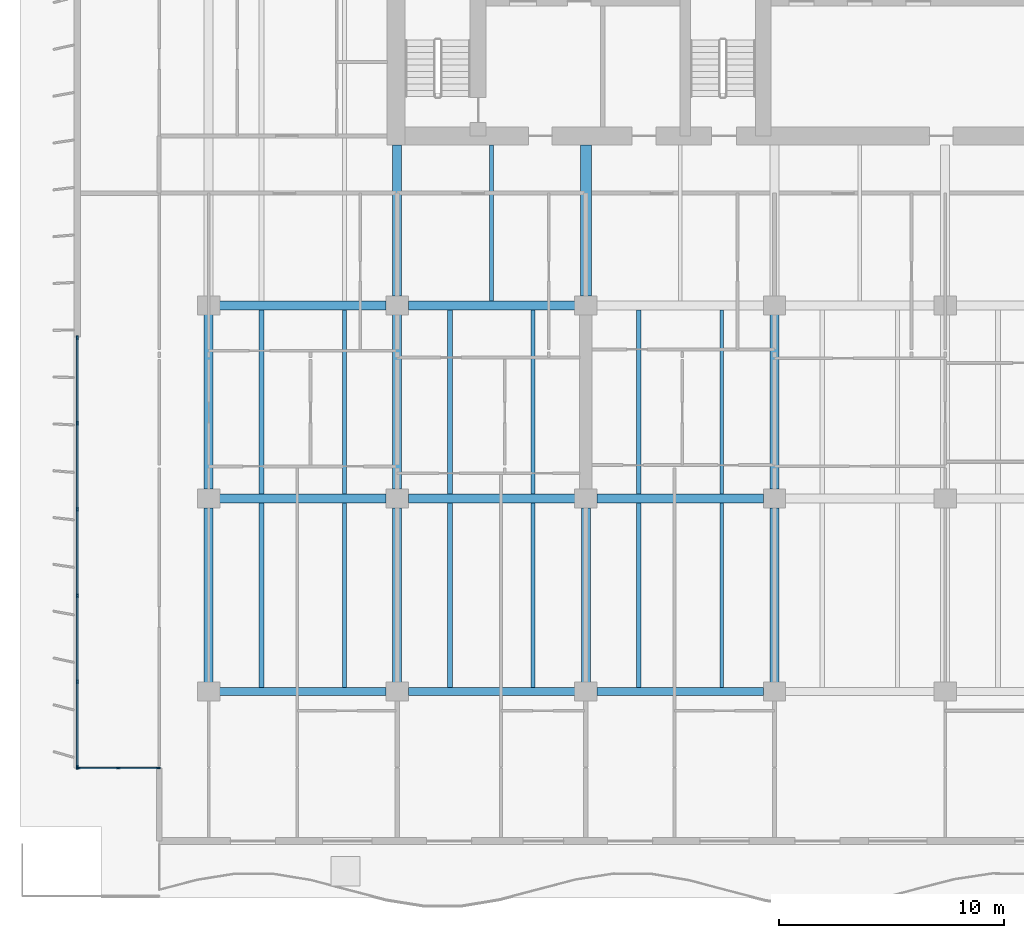
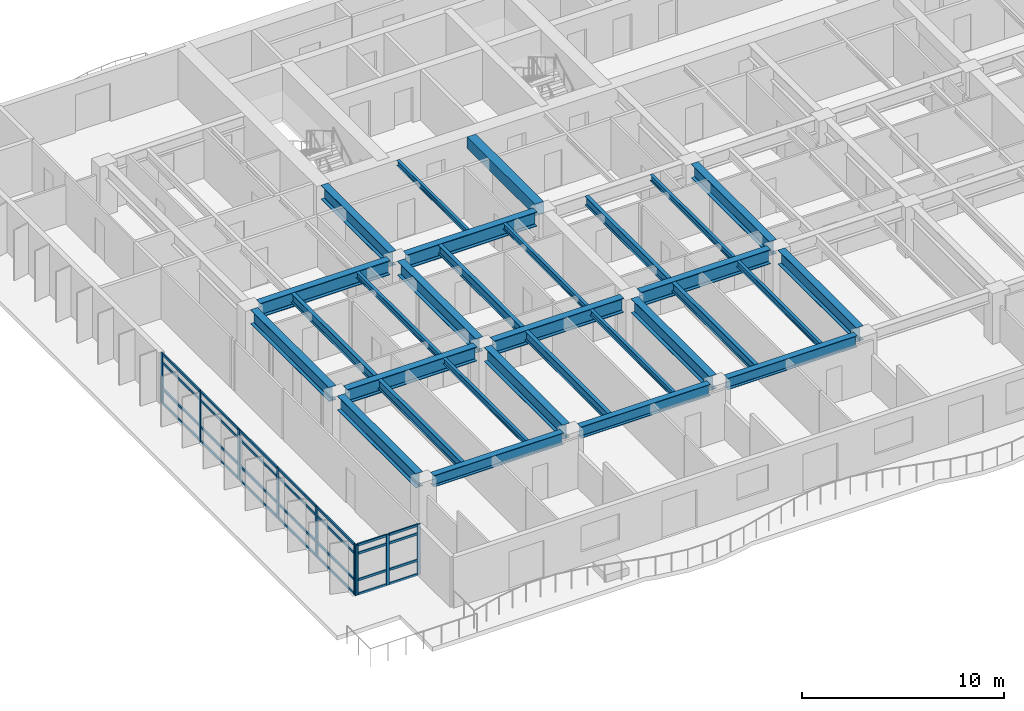
# One storey, part 2 of 17: 37 members, 30 beams, 2 elements without a shape of their own.
"""IFC4 building model written with IfcOpenShell, lengths in metres."""

import ifcopenshell
import ifcopenshell.guid

model = None  # the IFC model being written
_history = None  # IfcOwnerHistory: only IFC2X3 demands one
_inside = {}  # id of a spatial element -> (the spatial element, [elements in it])
_under = {}  # id of a project, library or spatial element -> (it, [spatial elements below it])
_declared = {}  # id of a project -> (the project, [libraries it declares])
_typed = {}  # id of a type object -> (the type object, [elements of that type])
_made_of = {}  # id of a material, layer set ... -> (it, [elements and type objects made of it])


def new_model(schema):
    """Start an empty IFC model of exactly this schema.

    Asked for "IFC4X3", IfcOpenShell would pick the latest addendum, in which some entities
    have other attributes; the version numbers below select the first issue.
    IFC2X3 requires an IfcOwnerHistory on every rooted entity: one is made here for all.
    """
    global model, _history
    if schema == "IFC4X3":
        model = ifcopenshell.file(schema_version=(4, 3, 0, 0))
    else:
        model = ifcopenshell.file(schema=schema)
    _inside.clear()
    _under.clear()
    _declared.clear()
    _typed.clear()
    _made_of.clear()
    _history = None
    if model.schema == "IFC2X3":
        org = make("IfcOrganization", Name="unknown")
        user = make(
            "IfcPersonAndOrganization",
            ThePerson=make("IfcPerson", FamilyName="unknown"),
            TheOrganization=org,
        )
        app = make(
            "IfcApplication",
            ApplicationDeveloper=org,
            Version="unknown",
            ApplicationFullName="unknown",
            ApplicationIdentifier="unknown",
        )
        _history = make(
            "IfcOwnerHistory",
            OwningUser=user,
            OwningApplication=app,
            ChangeAction="ADDED",
            CreationDate=0,
        )
    return model


def make(cls, **values):
    """One entity of the class cls with the attributes given. An attribute that is None is left unset."""
    return model.create_entity(
        cls, **{name: value for name, value in values.items() if value is not None}
    )


def rooted(cls, **values):
    """An entity with a GlobalId (a new one), such as an element, a storey or a relation."""
    return make(cls, GlobalId=ifcopenshell.guid.new(), OwnerHistory=_history, **values)


def si_unit(unit_type, name, prefix=None):
    """IfcSIUnit, for example si_unit("LENGTHUNIT", "METRE", prefix="MILLI")."""
    return make("IfcSIUnit", UnitType=unit_type, Prefix=prefix, Name=name)


def assignment(units):
    """IfcUnitAssignment: the units of a project."""
    return None if units is None else make("IfcUnitAssignment", Units=units)


def point(xyz):
    """IfcCartesianPoint."""
    return None if xyz is None else make("IfcCartesianPoint", Coordinates=xyz)


def direction(xyz):
    """IfcDirection."""
    return None if xyz is None else make("IfcDirection", DirectionRatios=xyz)


def frame(location, z_axis=None, x_axis=None):
    """IfcAxis2Placement3D, a coordinate frame: its origin and axes. An axis left out is left unset."""
    return make(
        "IfcAxis2Placement3D",
        Location=point(location),
        Axis=direction(z_axis),
        RefDirection=direction(x_axis),
    )


def frame_2d(location, x_axis=None):
    """IfcAxis2Placement2D, a coordinate frame in the plane: its origin and x axis."""
    return make(
        "IfcAxis2Placement2D", Location=point(location), RefDirection=direction(x_axis)
    )


def origin():
    """The frame at (0, 0, 0) with its axes left unset."""
    return frame((0.0, 0.0, 0.0))


def origin_2d():
    """The frame at (0, 0) in the plane with its x axis left unset."""
    return frame_2d((0.0, 0.0))


def place(relative_to, where):
    """IfcLocalPlacement: puts the frame where relative to a parent placement (None: the world)."""
    return make(
        "IfcLocalPlacement", PlacementRelTo=relative_to, RelativePlacement=where
    )


def context(
    kind, dimensions, precision=None, world=None, true_north=None, identifier=None
):
    """IfcGeometricRepresentationContext, for example the 3D "Model" context."""
    return make(
        "IfcGeometricRepresentationContext",
        ContextIdentifier=identifier,
        ContextType=kind,
        CoordinateSpaceDimension=dimensions,
        Precision=precision,
        WorldCoordinateSystem=world,
        TrueNorth=true_north,
    )


def subcontext(parent, identifier, kind, view, scale=None):
    """IfcGeometricRepresentationSubContext, for example "Body" below "Model"."""
    return make(
        "IfcGeometricRepresentationSubContext",
        ContextIdentifier=identifier,
        ContextType=kind,
        ParentContext=parent,
        TargetScale=scale,
        TargetView=view,
    )


def project(units=None, contexts=None):
    """IfcProject with its units and contexts."""
    return rooted(
        "IfcProject",
        Name="project",
        RepresentationContexts=contexts,
        UnitsInContext=assignment(units),
    )


def spatial(cls, under=None, at=None, **own):
    """A site, building, storey or space (cls), placed at a placement, below another one or the project."""
    s = rooted(cls, ObjectPlacement=at, **own)
    if under is not None:
        _under.setdefault(under.id(), (under, []))[1].append(s)
    return s


def profile(cls, at=None, kind="AREA", **sizes):
    """A parametric profile (cls). Its sizes go by their IFC names, for example OverallWidth=200.0."""
    return make(cls, ProfileType=kind, Position=at, **sizes)


def rectangle(**sizes):
    """IfcRectangleProfileDef."""
    return profile("IfcRectangleProfileDef", **sizes)


def i_section(**sizes):
    """IfcIShapeProfileDef."""
    return profile("IfcIShapeProfileDef", **sizes)


def extrude(swept, where, along, depth):
    """IfcExtrudedAreaSolid: the profile swept, set in the frame where, extruded along a direction by depth."""
    return make(
        "IfcExtrudedAreaSolid",
        SweptArea=swept,
        Position=where,
        ExtrudedDirection=direction(along),
        Depth=depth,
    )


def shape(context_of_items, identifier, shape_type, items):
    """IfcShapeRepresentation: the items that make up one representation, for example the "Body"."""
    return make(
        "IfcShapeRepresentation",
        ContextOfItems=context_of_items,
        RepresentationIdentifier=identifier,
        RepresentationType=shape_type,
        Items=items,
    )


def material(Name=None, Category=None):
    """IfcMaterial."""
    return make("IfcMaterial", Name=Name, Category=Category)


def layer(
    of_material, thickness, ventilated=None, Name=None, Category=None, Priority=None
):
    """IfcMaterialLayer: one layer of a wall or slab, of a material (None: an air gap)."""
    return make(
        "IfcMaterialLayer",
        Material=of_material,
        LayerThickness=thickness,
        IsVentilated=ventilated,
        Name=Name,
        Category=Category,
        Priority=Priority,
    )


def layer_set(layers, Name=None):
    """IfcMaterialLayerSet."""
    return make("IfcMaterialLayerSet", MaterialLayers=layers, LayerSetName=Name)


def material_profile(
    of_material, cross_section, Name=None, Category=None, Priority=None
):
    """IfcMaterialProfile: a cross section and its material."""
    return make(
        "IfcMaterialProfile",
        Name=Name,
        Material=of_material,
        Profile=cross_section,
        Priority=Priority,
        Category=Category,
    )


def profile_set(profiles, Name=None, composite=None):
    """IfcMaterialProfileSet."""
    return make(
        "IfcMaterialProfileSet",
        Name=Name,
        MaterialProfiles=profiles,
        CompositeProfile=composite,
    )


def made_of(thing, what):
    """Note that an element or type object is made of a material, layer set ...; save() writes the relation."""
    if what is not None:
        _made_of.setdefault(what.id(), (what, []))[1].append(thing)
    return thing


def type_object(cls, material=None, **own):
    """A type object (cls), such as IfcWallType, which elements share."""
    return made_of(rooted(cls, **own), material)


def element(
    cls,
    number,
    at=None,
    inside=None,
    cuts=None,
    type_object=None,
    material=None,
    context=None,
    identifier="Body",
    shape_type=None,
    held_by="IfcProductDefinitionShape",
    body=None,
    shapes=None,
    **own,
):
    """One element of the class cls, such as IfcWall. Its Tag is "e" and its number.

    at: its placement. inside: the storey or other place that contains it. cuts: it is an
    opening in that element (IfcRelVoidsElement). A single representation is given by context,
    identifier, shape_type and body (its items); several are given by shapes. held_by: the class
    of the entity that holds the representations. save() writes the other relations.
    """
    e = rooted(cls, Tag="e%d" % number, ObjectPlacement=at, **own)
    if body is not None:
        shapes = [shape(context, identifier, shape_type, body)]
    if shapes is not None:
        e.Representation = make(held_by, Representations=shapes)
    if inside is not None:
        _inside.setdefault(inside.id(), (inside, []))[1].append(e)
    if cuts is not None:
        rooted(
            "IfcRelVoidsElement", RelatingBuildingElement=cuts, RelatedOpeningElement=e
        )
    if type_object is not None:
        _typed.setdefault(type_object.id(), (type_object, []))[1].append(e)
    return made_of(e, material)


def aggregate(whole, parts):
    """IfcRelAggregates: a whole, such as a stair, and the parts it consists of."""
    return rooted("IfcRelAggregates", RelatingObject=whole, RelatedObjects=parts)


def save(model, path):
    """Write the relations noted so far, then the file.

    IfcRelAggregates (storeys below a building ...), IfcRelContainedInSpatialStructure (elements
    in a storey), IfcRelDefinesByType, IfcRelAssociatesMaterial and IfcRelDeclares: one each for
    every whole, place, type object, material and project.
    """
    for whole, parts in _under.values():
        aggregate(whole, parts)
    for where, things in _inside.values():
        rooted(
            "IfcRelContainedInSpatialStructure",
            RelatedElements=things,
            RelatingStructure=where,
        )
    for kind, things in _typed.values():
        rooted("IfcRelDefinesByType", RelatedObjects=things, RelatingType=kind)
    for what, things in _made_of.values():
        rooted("IfcRelAssociatesMaterial", RelatedObjects=things, RelatingMaterial=what)
    for by, libraries in _declared.values():
        rooted("IfcRelDeclares", RelatingContext=by, RelatedDefinitions=libraries)
    model.write(path)


model = new_model("IFC4")

# Units and contexts
model_context = context("Model", 3, precision=1e-05, world=origin(), true_north=direction((0.0, 1.0)))
body_context = subcontext(model_context, "Body", "Model", "MODEL_VIEW")
ifc_project = project(units=[si_unit("LENGTHUNIT", "METRE"), si_unit("AREAUNIT", "SQUARE_METRE"), si_unit("VOLUMEUNIT", "CUBIC_METRE"), si_unit("PLANEANGLEUNIT", "RADIAN"), si_unit("MASSUNIT", "GRAM", prefix="KILO")], contexts=[model_context])

# Site, building, storey
site_placement = place(None, origin())
site = spatial("IfcSite", under=ifc_project, at=site_placement, CompositionType="ELEMENT")
building_placement = place(site_placement, origin())
building = spatial("IfcBuilding", under=site, at=building_placement, Name="Caelmar Bay Residences", CompositionType="ELEMENT")
storey_placement = place(building_placement, frame((0.0, 0.0, 84.60009765625)))
storey = spatial("IfcBuildingStorey", under=building, at=storey_placement, Name="L22", CompositionType="ELEMENT", Elevation=84.60009765625)

# Beams
ifc_material_1 = material(Name="Steel ASTM A992 Grade 50", Category="steel")
ifc_material_profile_1 = material_profile(ifc_material_1, i_section(OverallWidth=0.40087890625, OverallDepth=0.861083984375, WebThickness=0.019775390625, FlangeThickness=0.032470703125, FilletRadius=0.017822265625, at=origin_2d()), Name="W33X221")
ifc_profile_set_1 = profile_set([ifc_material_profile_1], Name="Steel ASTM A992 Grade 50")
beam_type_1 = type_object("IfcBeamType", Name="BM-GRD-W33X221", PredefinedType="BEAM", material=ifc_profile_set_1)
beam_1_placement = place(storey_placement, frame((10.389892578125, 20.800048828125, 2.619384765625), z_axis=(1.0, 0.0, 0.0), x_axis=(0.0, 1.0, 0.0)))
element("IfcBeam", 1, at=beam_1_placement, inside=storey, type_object=beam_type_1, Name="L22 East-West Girder Y=20.80 (9.9-18.3)", PredefinedType="BEAM", context=body_context, shape_type="SweptSolid", body=[
    extrude(i_section(OverallWidth=0.40087890625, OverallDepth=0.861083984375, WebThickness=0.019775390625, FlangeThickness=0.032470703125, FilletRadius=0.017822265625, at=origin_2d()), origin(), (0.0, 0.0, 1.0), 7.420166015625),
])
beam_2_placement = place(storey_placement, frame((18.7900390625, 20.800048828125, 2.619384765625), z_axis=(1.0, 0.0, 0.0), x_axis=(0.0, 1.0, 0.0)))
element("IfcBeam", 2, at=beam_2_placement, inside=storey, type_object=beam_type_1, Name="L22 East-West Girder Y=20.80 (18.3-26.7)", PredefinedType="BEAM", context=body_context, shape_type="SweptSolid", body=[
    extrude(i_section(OverallWidth=0.40087890625, OverallDepth=0.861083984375, WebThickness=0.019775390625, FlangeThickness=0.032470703125, FilletRadius=0.017822265625, at=origin_2d()), origin(), (0.0, 0.0, 1.0), 7.419921875),
])
for number, where, z_axis, x_axis, name in (
    (3, (27.18994140625, 20.800048828125, 2.619384765625), (1.0, 0.0, 0.0), (0.0, 1.0, 0.0), "L22 East-West Girder Y=20.80 (26.7-35.1)"),
    (4, (10.389892578125, 29.39990234375, 2.619384765625), (1.0, 0.0, 0.0), (0.0, 1.0, 0.0), "L22 East-West Girder Y=29.40 (9.9-18.3)"),
):
    element("IfcBeam", number, at=place(storey_placement, frame(where, z_axis=z_axis, x_axis=x_axis)), inside=storey, type_object=beam_type_1, Name=name, PredefinedType="BEAM", context=body_context, shape_type="SweptSolid", body=[
        extrude(i_section(OverallWidth=0.40087890625, OverallDepth=0.861083984375, WebThickness=0.019775390625, FlangeThickness=0.032470703125, FilletRadius=0.017822265625, at=origin_2d()), origin(), (0.0, 0.0, 1.0), 7.420166015625),
    ])
beam_3_placement = place(storey_placement, frame((18.7900390625, 29.39990234375, 2.619384765625), z_axis=(1.0, 0.0, 0.0), x_axis=(0.0, 1.0, 0.0)))
element("IfcBeam", 5, at=beam_3_placement, inside=storey, type_object=beam_type_1, Name="L22 East-West Girder Y=29.40 (18.3-26.7)", PredefinedType="BEAM", context=body_context, shape_type="SweptSolid", body=[
    extrude(i_section(OverallWidth=0.40087890625, OverallDepth=0.861083984375, WebThickness=0.019775390625, FlangeThickness=0.032470703125, FilletRadius=0.017822265625, at=origin_2d()), origin(), (0.0, 0.0, 1.0), 7.419921875),
])
for number, where, z_axis, x_axis, name in (
    (6, (9.89990234375, 12.614990234375, 2.619384765625), (0.0, 1.0, 0.0), (-1.0, 0.0, 0.0), "L22 North-South Girder X=9.90 (12.2-20.8)"),
    (7, (9.89990234375, 21.215087890625, 2.619384765625), (0.0, 1.0, 0.0), (-1.0, 0.0, 0.0), "L22 North-South Girder X=9.90 (20.8-29.4)"),
):
    element("IfcBeam", number, at=place(storey_placement, frame(where, z_axis=z_axis, x_axis=x_axis)), inside=storey, type_object=beam_type_1, Name=name, PredefinedType="BEAM", context=body_context, shape_type="SweptSolid", body=[
        extrude(i_section(OverallWidth=0.40087890625, OverallDepth=0.861083984375, WebThickness=0.019775390625, FlangeThickness=0.032470703125, FilletRadius=0.017822265625, at=origin_2d()), origin(), (0.0, 0.0, 1.0), 7.77001953125),
    ])
beam_4_placement = place(storey_placement, frame((18.300048828125, 29.81494140625, 2.619384765625), z_axis=(0.0, 1.0, 0.0), x_axis=(-1.0, 0.0, 0.0)))
element("IfcBeam", 8, at=beam_4_placement, inside=storey, type_object=beam_type_1, Name="L22 Core Tie Girder X=18.30", PredefinedType="BEAM", context=body_context, shape_type="SweptSolid", body=[
    extrude(i_section(OverallWidth=0.40087890625, OverallDepth=0.861083984375, WebThickness=0.019775390625, FlangeThickness=0.032470703125, FilletRadius=0.017822265625, at=origin_2d()), origin(), (0.0, 0.0, 1.0), 6.735107421875),
])
for number, where, z_axis, x_axis, name in (
    (9, (18.300048828125, 12.614990234375, 2.619384765625), (0.0, 1.0, 0.0), (-1.0, 0.0, 0.0), "L22 North-South Girder X=18.30 (12.2-20.8)"),
    (10, (18.300048828125, 21.215087890625, 2.619384765625), (0.0, 1.0, 0.0), (-1.0, 0.0, 0.0), "L22 North-South Girder X=18.30 (20.8-29.4)"),
    (11, (26.699951171875, 12.614990234375, 2.619384765625), (0.0, 1.0, 0.0), (-1.0, 0.0, 0.0), "L22 North-South Girder X=26.70 (12.2-20.8)"),
    (12, (35.10009765625, 12.614990234375, 2.619384765625), (0.0, 1.0, 0.0), (-1.0, 0.0, 0.0), "L22 North-South Girder X=35.10 (12.2-20.8)"),
    (13, (35.10009765625, 21.215087890625, 2.619384765625), (0.0, 1.0, 0.0), (-1.0, 0.0, 0.0), "L22 North-South Girder X=35.10 (20.8-29.4)"),
):
    element("IfcBeam", number, at=place(storey_placement, frame(where, z_axis=z_axis, x_axis=x_axis)), inside=storey, type_object=beam_type_1, Name=name, PredefinedType="BEAM", context=body_context, shape_type="SweptSolid", body=[
        extrude(i_section(OverallWidth=0.40087890625, OverallDepth=0.861083984375, WebThickness=0.019775390625, FlangeThickness=0.032470703125, FilletRadius=0.017822265625, at=origin_2d()), origin(), (0.0, 0.0, 1.0), 7.77001953125),
    ])
ifc_material_profile_2 = material_profile(ifc_material_1, i_section(OverallWidth=0.1650390625, OverallDepth=0.31005859375, WebThickness=0.005859375, FlangeThickness=0.009765625, FilletRadius=0.007568359375, at=origin_2d()), Name="W12X26")
ifc_profile_set_2 = profile_set([ifc_material_profile_2], Name="Steel ASTM A992 Grade 50")
beam_type_2 = type_object("IfcBeamType", Name="BM-JST-W12X26", PredefinedType="JOIST", material=ifc_profile_set_2)
beam_5_placement = place(storey_placement, frame((22.5, 29.6005859375, 2.89501953125), z_axis=(0.0, 1.0, 0.0), x_axis=(-1.0, 0.0, 0.0)))
element("IfcBeam", 14, at=beam_5_placement, inside=storey, type_object=beam_type_2, Name="L22 Core-Band Composite Joist 29", PredefinedType="JOIST", context=body_context, shape_type="SweptSolid", body=[
    extrude(i_section(OverallWidth=0.1650390625, OverallDepth=0.31005859375, WebThickness=0.005859375, FlangeThickness=0.009765625, FilletRadius=0.007568359375, at=origin_2d()), origin(), (0.0, 0.0, 1.0), 6.949462890625),
])
ifc_material_profile_3 = material_profile(ifc_material_1, i_section(OverallWidth=0.1708984375, OverallDepth=0.35595703125, WebThickness=0.007080078125, FlangeThickness=0.01171875, FilletRadius=0.007568359375, at=origin_2d()), Name="W14X34")
ifc_profile_set_3 = profile_set([ifc_material_profile_3], Name="Steel ASTM A992 Grade 50")
beam_type_3 = type_object("IfcBeamType", Name="BM-JST-W14X34", PredefinedType="JOIST", material=ifc_profile_set_3)
for number, where, z_axis, x_axis, name in (
    (15, (15.947998046875, 12.3779296875, 2.871826171875), (0.0, 1.0, 0.0), (-1.0, 0.0, 0.0), "L22 Composite Floor Joist 2"),
    (16, (24.347900390625, 12.3779296875, 2.871826171875), (0.0, 1.0, 0.0), (-1.0, 0.0, 0.0), "L22 Composite Floor Joist 4"),
    (17, (32.748046875, 12.3779296875, 2.871826171875), (0.0, 1.0, 0.0), (-1.0, 0.0, 0.0), "L22 Composite Floor Joist 6"),
):
    element("IfcBeam", number, at=place(storey_placement, frame(where, z_axis=z_axis, x_axis=x_axis)), inside=storey, type_object=beam_type_3, Name=name, PredefinedType="JOIST", context=body_context, shape_type="SweptSolid", body=[
        extrude(i_section(OverallWidth=0.1708984375, OverallDepth=0.35595703125, WebThickness=0.007080078125, FlangeThickness=0.01171875, FilletRadius=0.007568359375, at=origin_2d()), origin(), (0.0, 0.0, 1.0), 8.2216796875),
    ])
for number, where, z_axis, x_axis, name in (
    (18, (15.947998046875, 21.00048828125, 2.871826171875), (0.0, 1.0, 0.0), (-1.0, 0.0, 0.0), "L22 Composite Floor Joist 16"),
    (19, (24.347900390625, 21.00048828125, 2.871826171875), (0.0, 1.0, 0.0), (-1.0, 0.0, 0.0), "L22 Composite Floor Joist 18"),
    (20, (32.748046875, 21.00048828125, 2.871826171875), (0.0, 1.0, 0.0), (-1.0, 0.0, 0.0), "L22 Composite Floor Joist 20"),
):
    element("IfcBeam", number, at=place(storey_placement, frame(where, z_axis=z_axis, x_axis=x_axis)), inside=storey, type_object=beam_type_3, Name=name, PredefinedType="JOIST", context=body_context, shape_type="SweptSolid", body=[
        extrude(i_section(OverallWidth=0.1708984375, OverallDepth=0.35595703125, WebThickness=0.007080078125, FlangeThickness=0.01171875, FilletRadius=0.007568359375, at=origin_2d()), origin(), (0.0, 0.0, 1.0), 8.198974609375),
    ])
ifc_material_profile_4 = material_profile(ifc_material_1, i_section(OverallWidth=0.214111328125, OverallDepth=0.549072265625, WebThickness=0.0146484375, FlangeThickness=0.023681640625, FilletRadius=0.0126953125, at=origin_2d()), Name="W21X93")
ifc_profile_set_4 = profile_set([ifc_material_profile_4], Name="Steel ASTM A992 Grade 50")
beam_type_4 = type_object("IfcBeamType", Name="BM-JST-W21X93", PredefinedType="JOIST", material=ifc_profile_set_4)
for number, where, z_axis, x_axis, name in (
    (21, (12.251953125, 12.3779296875, 2.775390625), (0.0, 1.0, 0.0), (-1.0, 0.0, 0.0), "L22 Composite Floor Joist 1"),
    (22, (20.652099609375, 12.3779296875, 2.775390625), (0.0, 1.0, 0.0), (-1.0, 0.0, 0.0), "L22 Composite Floor Joist 3"),
    (23, (29.052001953125, 12.3779296875, 2.775390625), (0.0, 1.0, 0.0), (-1.0, 0.0, 0.0), "L22 Composite Floor Joist 5"),
):
    element("IfcBeam", number, at=place(storey_placement, frame(where, z_axis=z_axis, x_axis=x_axis)), inside=storey, type_object=beam_type_4, Name=name, PredefinedType="JOIST", context=body_context, shape_type="SweptSolid", body=[
        extrude(i_section(OverallWidth=0.214111328125, OverallDepth=0.549072265625, WebThickness=0.0146484375, FlangeThickness=0.023681640625, FilletRadius=0.0126953125, at=origin_2d()), origin(), (0.0, 0.0, 1.0), 8.2216796875),
    ])
for number, where, z_axis, x_axis, name in (
    (24, (12.251953125, 21.00048828125, 2.775390625), (0.0, 1.0, 0.0), (-1.0, 0.0, 0.0), "L22 Composite Floor Joist 15"),
    (25, (20.652099609375, 21.00048828125, 2.775390625), (0.0, 1.0, 0.0), (-1.0, 0.0, 0.0), "L22 Composite Floor Joist 17"),
    (26, (29.052001953125, 21.00048828125, 2.775390625), (0.0, 1.0, 0.0), (-1.0, 0.0, 0.0), "L22 Composite Floor Joist 19"),
):
    element("IfcBeam", number, at=place(storey_placement, frame(where, z_axis=z_axis, x_axis=x_axis)), inside=storey, type_object=beam_type_4, Name=name, PredefinedType="JOIST", context=body_context, shape_type="SweptSolid", body=[
        extrude(i_section(OverallWidth=0.214111328125, OverallDepth=0.549072265625, WebThickness=0.0146484375, FlangeThickness=0.023681640625, FilletRadius=0.0126953125, at=origin_2d()), origin(), (0.0, 0.0, 1.0), 8.198974609375),
    ])
ifc_material_2 = material(Name="Concrete f'c 55 MPa (8,000 psi)", Category="concrete")
ifc_material_profile_5 = material_profile(ifc_material_2, rectangle(XDim=0.5, YDim=0.699951171875, at=origin_2d()), Name="RC-BM-500X700")
ifc_profile_set_5 = profile_set([ifc_material_profile_5], Name="Concrete f'c 55 MPa (8,000 psi)")
beam_type_5 = type_object("IfcBeamType", Name="BM-RC-500X700", PredefinedType="LINTEL", material=ifc_profile_set_5)
beam_6_placement = place(storey_placement, frame((26.699951171875, 29.81494140625, 2.699951171875), z_axis=(0.0, 1.0, 0.0), x_axis=(-1.0, 0.0, 0.0)))
element("IfcBeam", 27, at=beam_6_placement, inside=storey, type_object=beam_type_5, Name="L22 Shear-Wall Corridor Coupling Lintel W5", PredefinedType="LINTEL", context=body_context, shape_type="SweptSolid", body=[
    extrude(rectangle(XDim=0.5, YDim=0.699951171875, at=origin_2d()), origin(), (0.0, 0.0, 1.0), 6.735107421875),
])
ifc_material_profile_6 = material_profile(ifc_material_1, i_section(OverallWidth=0.35595703125, OverallDepth=0.696044921875, WebThickness=0.015380859375, FlangeThickness=0.02490234375, FilletRadius=0.01513671875, at=origin_2d()), Name="W27X146")
ifc_profile_set_6 = profile_set([ifc_material_profile_6], Name="Steel ASTM A992 Grade 50")
beam_type_6 = type_object("IfcBeamType", Name="BM-SPN-W27X146", PredefinedType="SPANDREL", material=ifc_profile_set_6)
beam_7_placement = place(storey_placement, frame((10.389892578125, 12.199951171875, 2.701904296875), z_axis=(1.0, 0.0, 0.0), x_axis=(0.0, 1.0, 0.0)))
element("IfcBeam", 28, at=beam_7_placement, inside=storey, type_object=beam_type_6, Name="L22 East-West Girder Y=12.20 (9.9-18.3)", PredefinedType="SPANDREL", context=body_context, shape_type="SweptSolid", body=[
    extrude(i_section(OverallWidth=0.35595703125, OverallDepth=0.696044921875, WebThickness=0.015380859375, FlangeThickness=0.02490234375, FilletRadius=0.01513671875, at=origin_2d()), origin(), (0.0, 0.0, 1.0), 7.420166015625),
])
beam_8_placement = place(storey_placement, frame((18.7900390625, 12.199951171875, 2.701904296875), z_axis=(1.0, 0.0, 0.0), x_axis=(0.0, 1.0, 0.0)))
element("IfcBeam", 29, at=beam_8_placement, inside=storey, type_object=beam_type_6, Name="L22 East-West Girder Y=12.20 (18.3-26.7)", PredefinedType="SPANDREL", context=body_context, shape_type="SweptSolid", body=[
    extrude(i_section(OverallWidth=0.35595703125, OverallDepth=0.696044921875, WebThickness=0.015380859375, FlangeThickness=0.02490234375, FilletRadius=0.01513671875, at=origin_2d()), origin(), (0.0, 0.0, 1.0), 7.419921875),
])
beam_9_placement = place(storey_placement, frame((27.18994140625, 12.199951171875, 2.701904296875), z_axis=(1.0, 0.0, 0.0), x_axis=(0.0, 1.0, 0.0)))
element("IfcBeam", 30, at=beam_9_placement, inside=storey, type_object=beam_type_6, Name="L22 East-West Girder Y=12.20 (26.7-35.1)", PredefinedType="SPANDREL", context=body_context, shape_type="SweptSolid", body=[
    extrude(i_section(OverallWidth=0.35595703125, OverallDepth=0.696044921875, WebThickness=0.015380859375, FlangeThickness=0.02490234375, FilletRadius=0.01513671875, at=origin_2d()), origin(), (0.0, 0.0, 1.0), 7.420166015625),
])

# Curtain wall, members
ifc_material_3 = material(Name="Anodised bronze aluminium 6063-T6 and laminated glass", Category="aluminium")
ifc_layer_1 = layer(ifc_material_3, 0.179931640625)
ifc_layer_set_1 = layer_set([ifc_layer_1], Name="Anodised bronze aluminium 6063-T6 and laminated glass")
curtain_wall_type_1 = type_object("IfcCurtainWallType", Name="CW6-NTC", PredefinedType="NOTDEFINED", material=ifc_layer_set_1)
curtain_wall_1_placement = place(storey_placement, origin())
curtain_wall_1 = element("IfcCurtainWall", 31, at=curtain_wall_1_placement, inside=storey, type_object=curtain_wall_type_1, Name="CW6 curtain wall L22", PredefinedType="NOTDEFINED")
ifc_material_4 = material(Name="Anodised bronze aluminium 6063-T6", Category="aluminium")
ifc_material_profile_7 = material_profile(ifc_material_4, rectangle(XDim=0.080078125, YDim=0.179931640625, at=origin_2d()), Name="CWM-80X180")
ifc_profile_set_7 = profile_set([ifc_material_profile_7], Name="Anodised bronze aluminium 6063-T6")
member_type_1 = type_object("IfcMemberType", Name="CWM-180", PredefinedType="MULLION", material=ifc_profile_set_7)
member_1_placement = place(storey_placement, frame((4.090087890625, 8.800048828125, 0.0), z_axis=(0.0, 0.0, 1.0), x_axis=(0.0, 1.0, 0.0)))
member_1 = element("IfcMember", 32, at=member_1_placement, type_object=member_type_1, Name="CW6 mullion 1", PredefinedType="MULLION", context=body_context, shape_type="SweptSolid", body=[
    extrude(rectangle(XDim=0.080078125, YDim=0.179931640625, at=origin_2d()), origin(), (0.0, 0.0, 1.0), 3.0498046875),
])
member_2_placement = place(storey_placement, frame((5.875, 8.800048828125, 0.0), z_axis=(0.0, 0.0, 1.0), x_axis=(0.0, 1.0, 0.0)))
member_2 = element("IfcMember", 33, at=member_2_placement, type_object=member_type_1, Name="CW6 mullion 2", PredefinedType="MULLION", context=body_context, shape_type="SweptSolid", body=[
    extrude(rectangle(XDim=0.080078125, YDim=0.179931640625, at=origin_2d()), origin(), (0.0, 0.0, 1.0), 3.0498046875),
])
member_3_placement = place(storey_placement, frame((7.659912109375, 8.800048828125, 0.0), z_axis=(0.0, 0.0, 1.0), x_axis=(0.0, 1.0, 0.0)))
member_3 = element("IfcMember", 34, at=member_3_placement, type_object=member_type_1, Name="CW6 mullion 3", PredefinedType="MULLION", context=body_context, shape_type="SweptSolid", body=[
    extrude(rectangle(XDim=0.080078125, YDim=0.179931640625, at=origin_2d()), origin(), (0.0, 0.0, 1.0), 3.0498046875),
])

ifc_layer_2 = layer(ifc_material_3, 0.179931640625)
ifc_layer_set_2 = layer_set([ifc_layer_2], Name="Anodised bronze aluminium 6063-T6 and laminated glass")
curtain_wall_type_2 = type_object("IfcCurtainWallType", Name="CW3-Z2", PredefinedType="NOTDEFINED", material=ifc_layer_set_2)
curtain_wall_2_placement = place(storey_placement, origin())
curtain_wall_2 = element("IfcCurtainWall", 35, at=curtain_wall_2_placement, inside=storey, type_object=curtain_wall_type_2, Name="CW3 curtain wall L22", PredefinedType="NOTDEFINED")
member_4_placement = place(storey_placement, frame((4.050048828125, 8.840087890625, 0.0), z_axis=(0.0, 0.0, 1.0), x_axis=(-1.0, 0.0, 0.0)))
member_4 = element("IfcMember", 36, at=member_4_placement, type_object=member_type_1, Name="CW3 mullion 1", PredefinedType="MULLION", context=body_context, shape_type="SweptSolid", body=[
    extrude(rectangle(XDim=0.080078125, YDim=0.179931640625, at=origin_2d()), origin(), (0.0, 0.0, 1.0), 3.0498046875),
])
member_5_placement = place(storey_placement, frame((4.050048828125, 12.639892578125, 0.0), z_axis=(0.0, 0.0, 1.0), x_axis=(-1.0, 0.0, 0.0)))
member_5 = element("IfcMember", 37, at=member_5_placement, type_object=member_type_1, Name="CW3 mullion 2", PredefinedType="MULLION", context=body_context, shape_type="SweptSolid", body=[
    extrude(rectangle(XDim=0.080078125, YDim=0.179931640625, at=origin_2d()), origin(), (0.0, 0.0, 1.0), 3.0498046875),
])
member_6_placement = place(storey_placement, frame((4.050048828125, 16.47998046875, 0.0), z_axis=(0.0, 0.0, 1.0), x_axis=(-1.0, 0.0, 0.0)))
member_6 = element("IfcMember", 38, at=member_6_placement, type_object=member_type_1, Name="CW3 mullion 3", PredefinedType="MULLION", context=body_context, shape_type="SweptSolid", body=[
    extrude(rectangle(XDim=0.080078125, YDim=0.179931640625, at=origin_2d()), origin(), (0.0, 0.0, 1.0), 3.0498046875),
])
member_7_placement = place(storey_placement, frame((4.050048828125, 20.320068359375, 0.0), z_axis=(0.0, 0.0, 1.0), x_axis=(-1.0, 0.0, 0.0)))
member_7 = element("IfcMember", 39, at=member_7_placement, type_object=member_type_1, Name="CW3 mullion 4", PredefinedType="MULLION", context=body_context, shape_type="SweptSolid", body=[
    extrude(rectangle(XDim=0.080078125, YDim=0.179931640625, at=origin_2d()), origin(), (0.0, 0.0, 1.0), 3.0498046875),
])
member_8_placement = place(storey_placement, frame((4.050048828125, 24.159912109375, 0.0), z_axis=(0.0, 0.0, 1.0), x_axis=(-1.0, 0.0, 0.0)))
member_8 = element("IfcMember", 40, at=member_8_placement, type_object=member_type_1, Name="CW3 mullion 5", PredefinedType="MULLION", context=body_context, shape_type="SweptSolid", body=[
    extrude(rectangle(XDim=0.080078125, YDim=0.179931640625, at=origin_2d()), origin(), (0.0, 0.0, 1.0), 3.0498046875),
])
member_9_placement = place(storey_placement, frame((4.050048828125, 27.9599609375, 0.0), z_axis=(0.0, 0.0, 1.0), x_axis=(-1.0, 0.0, 0.0)))
member_9 = element("IfcMember", 41, at=member_9_placement, type_object=member_type_1, Name="CW3 mullion 6", PredefinedType="MULLION", context=body_context, shape_type="SweptSolid", body=[
    extrude(rectangle(XDim=0.080078125, YDim=0.179931640625, at=origin_2d()), origin(), (0.0, 0.0, 1.0), 3.0498046875),
])

# Member
ifc_material_profile_8 = material_profile(ifc_material_4, rectangle(XDim=0.080078125, YDim=0.139892578125, at=origin_2d()), Name="CWT-80X140")
ifc_profile_set_8 = profile_set([ifc_material_profile_8], Name="Anodised bronze aluminium 6063-T6")
member_type_2 = type_object("IfcMemberType", Name="CWT-140", PredefinedType="NOTDEFINED", material=ifc_profile_set_8)
member_10_placement = place(storey_placement, frame((4.1298828125, 8.800048828125, 0.039794921875), z_axis=(1.0, 0.0, 0.0), x_axis=(0.0, 1.0, 0.0)))
member_10 = element("IfcMember", 42, at=member_10_placement, type_object=member_type_2, Name="CW6 transom 1.1", ObjectType="TRANSOM", PredefinedType="USERDEFINED", context=body_context, shape_type="SweptSolid", body=[
    extrude(rectangle(XDim=0.080078125, YDim=0.139892578125, at=origin_2d()), origin(), (0.0, 0.0, 1.0), 1.705078125),
])

member_11_placement = place(storey_placement, frame((4.1298828125, 8.800048828125, 0.89990234375), z_axis=(1.0, 0.0, 0.0), x_axis=(0.0, 1.0, 0.0)))
member_11 = element("IfcMember", 43, at=member_11_placement, type_object=member_type_2, Name="CW6 transom 1.2", ObjectType="TRANSOM", PredefinedType="USERDEFINED", context=body_context, shape_type="SweptSolid", body=[
    extrude(rectangle(XDim=0.080078125, YDim=0.139892578125, at=origin_2d()), origin(), (0.0, 0.0, 1.0), 1.705078125),
])

member_12_placement = place(storey_placement, frame((4.1298828125, 8.800048828125, 2.5), z_axis=(1.0, 0.0, 0.0), x_axis=(0.0, 1.0, 0.0)))
member_12 = element("IfcMember", 44, at=member_12_placement, type_object=member_type_2, Name="CW6 transom 1.3", ObjectType="TRANSOM", PredefinedType="USERDEFINED", context=body_context, shape_type="SweptSolid", body=[
    extrude(rectangle(XDim=0.080078125, YDim=0.139892578125, at=origin_2d()), origin(), (0.0, 0.0, 1.0), 1.705078125),
])

member_13_placement = place(storey_placement, frame((4.1298828125, 8.800048828125, 3.010009765625), z_axis=(1.0, 0.0, 0.0), x_axis=(0.0, 1.0, 0.0)))
member_13 = element("IfcMember", 45, at=member_13_placement, type_object=member_type_2, Name="CW6 transom 1.4", ObjectType="TRANSOM", PredefinedType="USERDEFINED", context=body_context, shape_type="SweptSolid", body=[
    extrude(rectangle(XDim=0.080078125, YDim=0.139892578125, at=origin_2d()), origin(), (0.0, 0.0, 1.0), 1.705078125),
])

member_14_placement = place(storey_placement, frame((5.9150390625, 8.800048828125, 0.039794921875), z_axis=(1.0, 0.0, 0.0), x_axis=(0.0, 1.0, 0.0)))
member_14 = element("IfcMember", 46, at=member_14_placement, type_object=member_type_2, Name="CW6 transom 2.1", ObjectType="TRANSOM", PredefinedType="USERDEFINED", context=body_context, shape_type="SweptSolid", body=[
    extrude(rectangle(XDim=0.080078125, YDim=0.139892578125, at=origin_2d()), origin(), (0.0, 0.0, 1.0), 1.705078125),
])

member_15_placement = place(storey_placement, frame((5.9150390625, 8.800048828125, 0.89990234375), z_axis=(1.0, 0.0, 0.0), x_axis=(0.0, 1.0, 0.0)))
member_15 = element("IfcMember", 47, at=member_15_placement, type_object=member_type_2, Name="CW6 transom 2.2", ObjectType="TRANSOM", PredefinedType="USERDEFINED", context=body_context, shape_type="SweptSolid", body=[
    extrude(rectangle(XDim=0.080078125, YDim=0.139892578125, at=origin_2d()), origin(), (0.0, 0.0, 1.0), 1.705078125),
])

member_16_placement = place(storey_placement, frame((5.9150390625, 8.800048828125, 2.5), z_axis=(1.0, 0.0, 0.0), x_axis=(0.0, 1.0, 0.0)))
member_16 = element("IfcMember", 48, at=member_16_placement, type_object=member_type_2, Name="CW6 transom 2.3", ObjectType="TRANSOM", PredefinedType="USERDEFINED", context=body_context, shape_type="SweptSolid", body=[
    extrude(rectangle(XDim=0.080078125, YDim=0.139892578125, at=origin_2d()), origin(), (0.0, 0.0, 1.0), 1.705078125),
])

member_17_placement = place(storey_placement, frame((5.9150390625, 8.800048828125, 3.010009765625), z_axis=(1.0, 0.0, 0.0), x_axis=(0.0, 1.0, 0.0)))
member_17 = element("IfcMember", 49, at=member_17_placement, type_object=member_type_2, Name="CW6 transom 2.4", ObjectType="TRANSOM", PredefinedType="USERDEFINED", context=body_context, shape_type="SweptSolid", body=[
    extrude(rectangle(XDim=0.080078125, YDim=0.139892578125, at=origin_2d()), origin(), (0.0, 0.0, 1.0), 1.705078125),
])

aggregate(curtain_wall_1, [member_1, member_2, member_3, member_10, member_11, member_12, member_13, member_14, member_15, member_16, member_17])

member_18_placement = place(storey_placement, frame((4.050048828125, 8.8798828125, 0.039794921875), z_axis=(0.0, 1.0, 0.0), x_axis=(-1.0, 0.0, 0.0)))
member_18 = element("IfcMember", 50, at=member_18_placement, type_object=member_type_2, Name="CW3 transom 1.1", ObjectType="TRANSOM", PredefinedType="USERDEFINED", context=body_context, shape_type="SweptSolid", body=[
    extrude(rectangle(XDim=0.080078125, YDim=0.139892578125, at=origin_2d()), origin(), (0.0, 0.0, 1.0), 3.72021484375),
])

member_19_placement = place(storey_placement, frame((4.050048828125, 8.8798828125, 0.89990234375), z_axis=(0.0, 1.0, 0.0), x_axis=(-1.0, 0.0, 0.0)))
member_19 = element("IfcMember", 51, at=member_19_placement, type_object=member_type_2, Name="CW3 transom 1.2", ObjectType="TRANSOM", PredefinedType="USERDEFINED", context=body_context, shape_type="SweptSolid", body=[
    extrude(rectangle(XDim=0.080078125, YDim=0.139892578125, at=origin_2d()), origin(), (0.0, 0.0, 1.0), 3.72021484375),
])

member_20_placement = place(storey_placement, frame((4.050048828125, 8.8798828125, 2.5), z_axis=(0.0, 1.0, 0.0), x_axis=(-1.0, 0.0, 0.0)))
member_20 = element("IfcMember", 52, at=member_20_placement, type_object=member_type_2, Name="CW3 transom 1.3", ObjectType="TRANSOM", PredefinedType="USERDEFINED", context=body_context, shape_type="SweptSolid", body=[
    extrude(rectangle(XDim=0.080078125, YDim=0.139892578125, at=origin_2d()), origin(), (0.0, 0.0, 1.0), 3.72021484375),
])

member_21_placement = place(storey_placement, frame((4.050048828125, 8.8798828125, 3.010009765625), z_axis=(0.0, 1.0, 0.0), x_axis=(-1.0, 0.0, 0.0)))
member_21 = element("IfcMember", 53, at=member_21_placement, type_object=member_type_2, Name="CW3 transom 1.4", ObjectType="TRANSOM", PredefinedType="USERDEFINED", context=body_context, shape_type="SweptSolid", body=[
    extrude(rectangle(XDim=0.080078125, YDim=0.139892578125, at=origin_2d()), origin(), (0.0, 0.0, 1.0), 3.72021484375),
])

member_22_placement = place(storey_placement, frame((4.050048828125, 12.679931640625, 0.039794921875), z_axis=(0.0, 1.0, 0.0), x_axis=(-1.0, 0.0, 0.0)))
member_22 = element("IfcMember", 54, at=member_22_placement, type_object=member_type_2, Name="CW3 transom 2.1", ObjectType="TRANSOM", PredefinedType="USERDEFINED", context=body_context, shape_type="SweptSolid", body=[
    extrude(rectangle(XDim=0.080078125, YDim=0.139892578125, at=origin_2d()), origin(), (0.0, 0.0, 1.0), 3.760009765625),
])

member_23_placement = place(storey_placement, frame((4.050048828125, 12.679931640625, 0.89990234375), z_axis=(0.0, 1.0, 0.0), x_axis=(-1.0, 0.0, 0.0)))
member_23 = element("IfcMember", 55, at=member_23_placement, type_object=member_type_2, Name="CW3 transom 2.2", ObjectType="TRANSOM", PredefinedType="USERDEFINED", context=body_context, shape_type="SweptSolid", body=[
    extrude(rectangle(XDim=0.080078125, YDim=0.139892578125, at=origin_2d()), origin(), (0.0, 0.0, 1.0), 3.760009765625),
])

member_24_placement = place(storey_placement, frame((4.050048828125, 12.679931640625, 2.5), z_axis=(0.0, 1.0, 0.0), x_axis=(-1.0, 0.0, 0.0)))
member_24 = element("IfcMember", 56, at=member_24_placement, type_object=member_type_2, Name="CW3 transom 2.3", ObjectType="TRANSOM", PredefinedType="USERDEFINED", context=body_context, shape_type="SweptSolid", body=[
    extrude(rectangle(XDim=0.080078125, YDim=0.139892578125, at=origin_2d()), origin(), (0.0, 0.0, 1.0), 3.760009765625),
])

member_25_placement = place(storey_placement, frame((4.050048828125, 12.679931640625, 3.010009765625), z_axis=(0.0, 1.0, 0.0), x_axis=(-1.0, 0.0, 0.0)))
member_25 = element("IfcMember", 57, at=member_25_placement, type_object=member_type_2, Name="CW3 transom 2.4", ObjectType="TRANSOM", PredefinedType="USERDEFINED", context=body_context, shape_type="SweptSolid", body=[
    extrude(rectangle(XDim=0.080078125, YDim=0.139892578125, at=origin_2d()), origin(), (0.0, 0.0, 1.0), 3.760009765625),
])

member_26_placement = place(storey_placement, frame((4.050048828125, 16.52001953125, 0.039794921875), z_axis=(0.0, 1.0, 0.0), x_axis=(-1.0, 0.0, 0.0)))
member_26 = element("IfcMember", 58, at=member_26_placement, type_object=member_type_2, Name="CW3 transom 3.1", ObjectType="TRANSOM", PredefinedType="USERDEFINED", context=body_context, shape_type="SweptSolid", body=[
    extrude(rectangle(XDim=0.080078125, YDim=0.139892578125, at=origin_2d()), origin(), (0.0, 0.0, 1.0), 3.760009765625),
])

member_27_placement = place(storey_placement, frame((4.050048828125, 16.52001953125, 0.89990234375), z_axis=(0.0, 1.0, 0.0), x_axis=(-1.0, 0.0, 0.0)))
member_27 = element("IfcMember", 59, at=member_27_placement, type_object=member_type_2, Name="CW3 transom 3.2", ObjectType="TRANSOM", PredefinedType="USERDEFINED", context=body_context, shape_type="SweptSolid", body=[
    extrude(rectangle(XDim=0.080078125, YDim=0.139892578125, at=origin_2d()), origin(), (0.0, 0.0, 1.0), 3.760009765625),
])

member_28_placement = place(storey_placement, frame((4.050048828125, 16.52001953125, 2.5), z_axis=(0.0, 1.0, 0.0), x_axis=(-1.0, 0.0, 0.0)))
member_28 = element("IfcMember", 60, at=member_28_placement, type_object=member_type_2, Name="CW3 transom 3.3", ObjectType="TRANSOM", PredefinedType="USERDEFINED", context=body_context, shape_type="SweptSolid", body=[
    extrude(rectangle(XDim=0.080078125, YDim=0.139892578125, at=origin_2d()), origin(), (0.0, 0.0, 1.0), 3.760009765625),
])

member_29_placement = place(storey_placement, frame((4.050048828125, 16.52001953125, 3.010009765625), z_axis=(0.0, 1.0, 0.0), x_axis=(-1.0, 0.0, 0.0)))
member_29 = element("IfcMember", 61, at=member_29_placement, type_object=member_type_2, Name="CW3 transom 3.4", ObjectType="TRANSOM", PredefinedType="USERDEFINED", context=body_context, shape_type="SweptSolid", body=[
    extrude(rectangle(XDim=0.080078125, YDim=0.139892578125, at=origin_2d()), origin(), (0.0, 0.0, 1.0), 3.760009765625),
])

member_30_placement = place(storey_placement, frame((4.050048828125, 20.360107421875, 0.039794921875), z_axis=(0.0, 1.0, 0.0), x_axis=(-1.0, 0.0, 0.0)))
member_30 = element("IfcMember", 62, at=member_30_placement, type_object=member_type_2, Name="CW3 transom 4.1", ObjectType="TRANSOM", PredefinedType="USERDEFINED", context=body_context, shape_type="SweptSolid", body=[
    extrude(rectangle(XDim=0.080078125, YDim=0.139892578125, at=origin_2d()), origin(), (0.0, 0.0, 1.0), 3.760009765625),
])

member_31_placement = place(storey_placement, frame((4.050048828125, 20.360107421875, 0.89990234375), z_axis=(0.0, 1.0, 0.0), x_axis=(-1.0, 0.0, 0.0)))
member_31 = element("IfcMember", 63, at=member_31_placement, type_object=member_type_2, Name="CW3 transom 4.2", ObjectType="TRANSOM", PredefinedType="USERDEFINED", context=body_context, shape_type="SweptSolid", body=[
    extrude(rectangle(XDim=0.080078125, YDim=0.139892578125, at=origin_2d()), origin(), (0.0, 0.0, 1.0), 3.760009765625),
])

member_32_placement = place(storey_placement, frame((4.050048828125, 20.360107421875, 2.5), z_axis=(0.0, 1.0, 0.0), x_axis=(-1.0, 0.0, 0.0)))
member_32 = element("IfcMember", 64, at=member_32_placement, type_object=member_type_2, Name="CW3 transom 4.3", ObjectType="TRANSOM", PredefinedType="USERDEFINED", context=body_context, shape_type="SweptSolid", body=[
    extrude(rectangle(XDim=0.080078125, YDim=0.139892578125, at=origin_2d()), origin(), (0.0, 0.0, 1.0), 3.760009765625),
])

member_33_placement = place(storey_placement, frame((4.050048828125, 20.360107421875, 3.010009765625), z_axis=(0.0, 1.0, 0.0), x_axis=(-1.0, 0.0, 0.0)))
member_33 = element("IfcMember", 65, at=member_33_placement, type_object=member_type_2, Name="CW3 transom 4.4", ObjectType="TRANSOM", PredefinedType="USERDEFINED", context=body_context, shape_type="SweptSolid", body=[
    extrude(rectangle(XDim=0.080078125, YDim=0.139892578125, at=origin_2d()), origin(), (0.0, 0.0, 1.0), 3.760009765625),
])

member_34_placement = place(storey_placement, frame((4.050048828125, 24.199951171875, 0.039794921875), z_axis=(0.0, 1.0, 0.0), x_axis=(-1.0, 0.0, 0.0)))
member_34 = element("IfcMember", 66, at=member_34_placement, type_object=member_type_2, Name="CW3 transom 5.1", ObjectType="TRANSOM", PredefinedType="USERDEFINED", context=body_context, shape_type="SweptSolid", body=[
    extrude(rectangle(XDim=0.080078125, YDim=0.139892578125, at=origin_2d()), origin(), (0.0, 0.0, 1.0), 3.719970703125),
])

member_35_placement = place(storey_placement, frame((4.050048828125, 24.199951171875, 0.89990234375), z_axis=(0.0, 1.0, 0.0), x_axis=(-1.0, 0.0, 0.0)))
member_35 = element("IfcMember", 67, at=member_35_placement, type_object=member_type_2, Name="CW3 transom 5.2", ObjectType="TRANSOM", PredefinedType="USERDEFINED", context=body_context, shape_type="SweptSolid", body=[
    extrude(rectangle(XDim=0.080078125, YDim=0.139892578125, at=origin_2d()), origin(), (0.0, 0.0, 1.0), 3.719970703125),
])

member_36_placement = place(storey_placement, frame((4.050048828125, 24.199951171875, 2.5), z_axis=(0.0, 1.0, 0.0), x_axis=(-1.0, 0.0, 0.0)))
member_36 = element("IfcMember", 68, at=member_36_placement, type_object=member_type_2, Name="CW3 transom 5.3", ObjectType="TRANSOM", PredefinedType="USERDEFINED", context=body_context, shape_type="SweptSolid", body=[
    extrude(rectangle(XDim=0.080078125, YDim=0.139892578125, at=origin_2d()), origin(), (0.0, 0.0, 1.0), 3.719970703125),
])

member_37_placement = place(storey_placement, frame((4.050048828125, 24.199951171875, 3.010009765625), z_axis=(0.0, 1.0, 0.0), x_axis=(-1.0, 0.0, 0.0)))
member_37 = element("IfcMember", 69, at=member_37_placement, type_object=member_type_2, Name="CW3 transom 5.4", ObjectType="TRANSOM", PredefinedType="USERDEFINED", context=body_context, shape_type="SweptSolid", body=[
    extrude(rectangle(XDim=0.080078125, YDim=0.139892578125, at=origin_2d()), origin(), (0.0, 0.0, 1.0), 3.719970703125),
])

aggregate(curtain_wall_2, [member_4, member_5, member_6, member_7, member_8, member_9, member_18, member_19, member_20, member_21, member_22, member_23, member_24, member_25, member_26, member_27, member_28, member_29, member_30, member_31, member_32, member_33, member_34, member_35, member_36, member_37])

save(model, "model.ifc")
